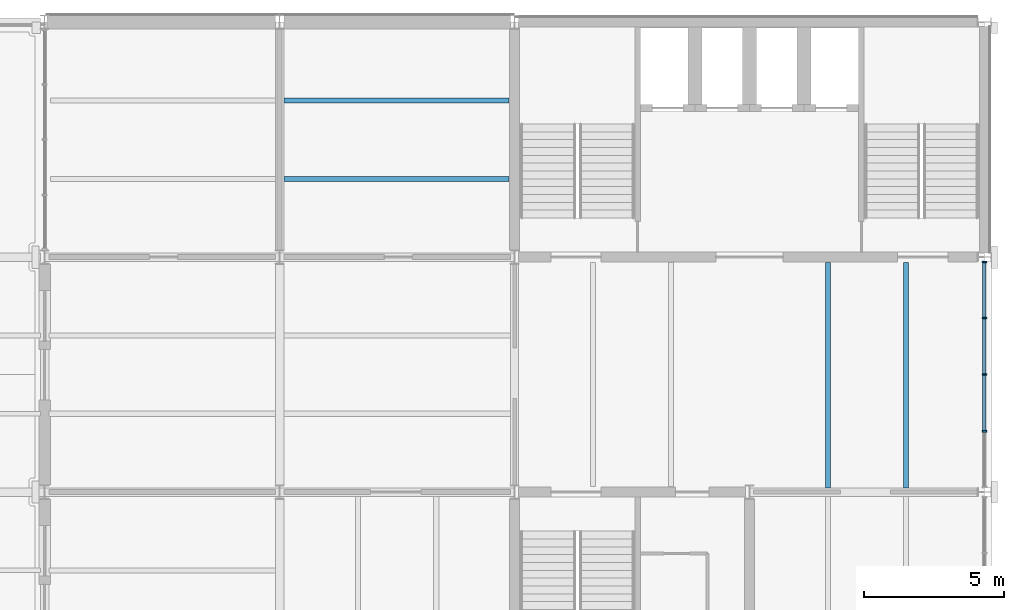
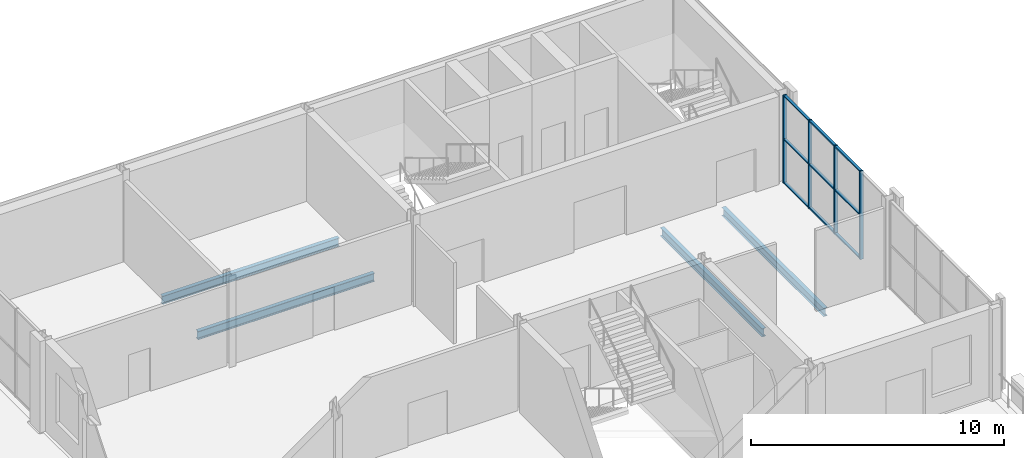
# One storey, part 32 of 58: 13 members, 4 beams, 1 element without a shape of its own.
"""IFC4 building model written with IfcOpenShell, lengths in metres."""

from ifc_helpers import new_model, si_unit, direction, frame, origin, origin_2d, place, context, subcontext, project, spatial, rectangle, i_section, extrude, material, layer, layer_set, material_profile, profile_set, type_object, element, aggregate, save


model = new_model("IFC4")

# Units and contexts
model_context = context("Model", 3, precision=1e-05, world=origin(), true_north=direction((0.0, 1.0)))
body_context = subcontext(model_context, "Body", "Model", "MODEL_VIEW")
ifc_project = project(units=[si_unit("LENGTHUNIT", "METRE"), si_unit("AREAUNIT", "SQUARE_METRE"), si_unit("VOLUMEUNIT", "CUBIC_METRE"), si_unit("PLANEANGLEUNIT", "RADIAN"), si_unit("MASSUNIT", "GRAM", prefix="KILO")], contexts=[model_context])

# Site, building, storey
site_placement = place(None, origin())
site = spatial("IfcSite", under=ifc_project, at=site_placement, CompositionType="ELEMENT")
building_placement = place(site_placement, origin())
building = spatial("IfcBuilding", under=site, at=building_placement, Name="Galleria Vessillo Department Store", CompositionType="ELEMENT")
storey_placement = place(building_placement, frame((0.0, 0.0, 31.199951171875)))
storey = spatial("IfcBuildingStorey", under=building, at=storey_placement, Name="L06", CompositionType="ELEMENT", Elevation=31.199951171875)

# Curtain wall, members
ifc_material_1 = material(Name="Aluminium and glass curtain wall", Category="aluminium")
ifc_layer = layer(ifc_material_1, 0.159912109375)
ifc_layer_set = layer_set([ifc_layer], Name="Aluminium and glass curtain wall")
curtain_wall_type = type_object("IfcCurtainWallType", Name="Tower curtain wall CW4 2100 module", PredefinedType="NOTDEFINED", material=ifc_layer_set)
curtain_wall_placement = place(storey_placement, origin())
curtain_wall = element("IfcCurtainWall", 1, at=curtain_wall_placement, inside=storey, type_object=curtain_wall_type, Name="Tower curtain wall CW4 2100 module TE-L06-02", PredefinedType="NOTDEFINED")
ifc_material_2 = material(Name="Aluminium alloy 6063 T6", Category="aluminium")
ifc_material_profile_1 = material_profile(ifc_material_2, rectangle(XDim=0.159912109375, YDim=0.06005859375, at=origin_2d()), Name="AL 60x160")
ifc_profile_set_1 = profile_set([ifc_material_profile_1], Name="Aluminium alloy 6063 T6")
member_type_1 = type_object("IfcMemberType", Name="Aluminium mullion 60 x 160", PredefinedType="MULLION", material=ifc_profile_set_1)
member_1_placement = place(storey_placement, frame((117.60009765625, 48.375, 0.0), z_axis=(0.0, 0.0, 1.0), x_axis=(-1.0, 0.0, 0.0)))
member_1 = element("IfcMember", 2, at=member_1_placement, type_object=member_type_1, Name="CW4 mullion 2", PredefinedType="MULLION", context=body_context, shape_type="SweptSolid", body=[
    extrude(rectangle(XDim=0.159912109375, YDim=0.06005859375, at=origin_2d()), origin(), (0.0, 0.0, 1.0), 4.250244140625),
])
member_2_placement = place(storey_placement, frame((117.60009765625, 50.39990234375, 0.0), z_axis=(0.0, 0.0, 1.0), x_axis=(-1.0, 0.0, 0.0)))
member_2 = element("IfcMember", 3, at=member_2_placement, type_object=member_type_1, Name="CW4 mullion 3", PredefinedType="MULLION", context=body_context, shape_type="SweptSolid", body=[
    extrude(rectangle(XDim=0.159912109375, YDim=0.06005859375, at=origin_2d()), origin(), (0.0, 0.0, 1.0), 4.250244140625),
])
member_3_placement = place(storey_placement, frame((117.60009765625, 52.425048828125, 0.0), z_axis=(0.0, 0.0, 1.0), x_axis=(-1.0, 0.0, 0.0)))
member_3 = element("IfcMember", 4, at=member_3_placement, type_object=member_type_1, Name="CW4 mullion 4", PredefinedType="MULLION", context=body_context, shape_type="SweptSolid", body=[
    extrude(rectangle(XDim=0.159912109375, YDim=0.06005859375, at=origin_2d()), origin(), (0.0, 0.0, 1.0), 4.250244140625),
])
member_4_placement = place(storey_placement, frame((117.60009765625, 54.420166015625, 0.0), z_axis=(0.0, 0.0, 1.0), x_axis=(-1.0, 0.0, 0.0)))
member_4 = element("IfcMember", 5, at=member_4_placement, type_object=member_type_1, Name="CW4 mullion 5", PredefinedType="MULLION", context=body_context, shape_type="SweptSolid", body=[
    extrude(rectangle(XDim=0.159912109375, YDim=0.06005859375, at=origin_2d()), origin(), (0.0, 0.0, 1.0), 4.250244140625),
])
ifc_material_3 = material(Name="Aluminium alloy 6063 T6", Category="aluminium")
ifc_material_profile_2 = material_profile(ifc_material_3, rectangle(XDim=0.1201171875, YDim=0.06005859375, at=origin_2d()), Name="AL 60x120")
ifc_profile_set_2 = profile_set([ifc_material_profile_2], Name="Aluminium alloy 6063 T6")
member_type_2 = type_object("IfcMemberType", Name="Aluminium transom 60 x 120", PredefinedType="USERDEFINED", material=ifc_profile_set_2)
member_5_placement = place(storey_placement, frame((117.60009765625, 48.405029296875, 0.030029296875), z_axis=(0.0, 1.0, 0.0), x_axis=(-1.0, 0.0, 0.0)))
member_5 = element("IfcMember", 6, at=member_5_placement, type_object=member_type_2, Name="CW4 transom 2.1", ObjectType="TRANSOM", PredefinedType="USERDEFINED", context=body_context, shape_type="SweptSolid", body=[
    extrude(rectangle(XDim=0.1201171875, YDim=0.06005859375, at=origin_2d()), origin(), (0.0, 0.0, 1.0), 1.965087890625),
])
member_6_placement = place(storey_placement, frame((117.60009765625, 48.405029296875, 2.125244140625), z_axis=(0.0, 1.0, 0.0), x_axis=(-1.0, 0.0, 0.0)))
member_6 = element("IfcMember", 7, at=member_6_placement, type_object=member_type_2, Name="CW4 transom 2.2", ObjectType="TRANSOM", PredefinedType="USERDEFINED", context=body_context, shape_type="SweptSolid", body=[
    extrude(rectangle(XDim=0.1201171875, YDim=0.06005859375, at=origin_2d()), origin(), (0.0, 0.0, 1.0), 1.965087890625),
])
member_7_placement = place(storey_placement, frame((117.60009765625, 48.405029296875, 4.22021484375), z_axis=(0.0, 1.0, 0.0), x_axis=(-1.0, 0.0, 0.0)))
member_7 = element("IfcMember", 8, at=member_7_placement, type_object=member_type_2, Name="CW4 transom 2.3", ObjectType="TRANSOM", PredefinedType="USERDEFINED", context=body_context, shape_type="SweptSolid", body=[
    extrude(rectangle(XDim=0.1201171875, YDim=0.06005859375, at=origin_2d()), origin(), (0.0, 0.0, 1.0), 1.965087890625),
])
member_8_placement = place(storey_placement, frame((117.60009765625, 50.429931640625, 0.030029296875), z_axis=(0.0, 1.0, 0.0), x_axis=(-1.0, 0.0, 0.0)))
member_8 = element("IfcMember", 9, at=member_8_placement, type_object=member_type_2, Name="CW4 transom 3.1", ObjectType="TRANSOM", PredefinedType="USERDEFINED", context=body_context, shape_type="SweptSolid", body=[
    extrude(rectangle(XDim=0.1201171875, YDim=0.06005859375, at=origin_2d()), origin(), (0.0, 0.0, 1.0), 1.965087890625),
])
member_9_placement = place(storey_placement, frame((117.60009765625, 50.429931640625, 2.125244140625), z_axis=(0.0, 1.0, 0.0), x_axis=(-1.0, 0.0, 0.0)))
member_9 = element("IfcMember", 10, at=member_9_placement, type_object=member_type_2, Name="CW4 transom 3.2", ObjectType="TRANSOM", PredefinedType="USERDEFINED", context=body_context, shape_type="SweptSolid", body=[
    extrude(rectangle(XDim=0.1201171875, YDim=0.06005859375, at=origin_2d()), origin(), (0.0, 0.0, 1.0), 1.965087890625),
])
member_10_placement = place(storey_placement, frame((117.60009765625, 50.429931640625, 4.22021484375), z_axis=(0.0, 1.0, 0.0), x_axis=(-1.0, 0.0, 0.0)))
member_10 = element("IfcMember", 11, at=member_10_placement, type_object=member_type_2, Name="CW4 transom 3.3", ObjectType="TRANSOM", PredefinedType="USERDEFINED", context=body_context, shape_type="SweptSolid", body=[
    extrude(rectangle(XDim=0.1201171875, YDim=0.06005859375, at=origin_2d()), origin(), (0.0, 0.0, 1.0), 1.965087890625),
])
member_11_placement = place(storey_placement, frame((117.60009765625, 52.455078125, 0.030029296875), z_axis=(0.0, 1.0, 0.0), x_axis=(-1.0, 0.0, 0.0)))
member_11 = element("IfcMember", 12, at=member_11_placement, type_object=member_type_2, Name="CW4 transom 4.1", ObjectType="TRANSOM", PredefinedType="USERDEFINED", context=body_context, shape_type="SweptSolid", body=[
    extrude(rectangle(XDim=0.1201171875, YDim=0.06005859375, at=origin_2d()), origin(), (0.0, 0.0, 1.0), 1.93505859375),
])
member_12_placement = place(storey_placement, frame((117.60009765625, 52.455078125, 2.125244140625), z_axis=(0.0, 1.0, 0.0), x_axis=(-1.0, 0.0, 0.0)))
member_12 = element("IfcMember", 13, at=member_12_placement, type_object=member_type_2, Name="CW4 transom 4.2", ObjectType="TRANSOM", PredefinedType="USERDEFINED", context=body_context, shape_type="SweptSolid", body=[
    extrude(rectangle(XDim=0.1201171875, YDim=0.06005859375, at=origin_2d()), origin(), (0.0, 0.0, 1.0), 1.93505859375),
])
member_13_placement = place(storey_placement, frame((117.60009765625, 52.455078125, 4.22021484375), z_axis=(0.0, 1.0, 0.0), x_axis=(-1.0, 0.0, 0.0)))
member_13 = element("IfcMember", 14, at=member_13_placement, type_object=member_type_2, Name="CW4 transom 4.3", ObjectType="TRANSOM", PredefinedType="USERDEFINED", context=body_context, shape_type="SweptSolid", body=[
    extrude(rectangle(XDim=0.1201171875, YDim=0.06005859375, at=origin_2d()), origin(), (0.0, 0.0, 1.0), 1.93505859375),
])
aggregate(curtain_wall, [member_1, member_2, member_3, member_4, member_5, member_6, member_7, member_8, member_9, member_10, member_11, member_12, member_13])

# Beams
ifc_material_4 = material(Name="Steel S355 J2", Category="steel")
ifc_material_profile_3 = material_profile(ifc_material_4, i_section(OverallWidth=0.179931640625, OverallDepth=0.39990234375, WebThickness=0.008544921875, FlangeThickness=0.013427734375, FilletRadius=0.02099609375, at=origin_2d()), Name="IPE 400")
ifc_profile_set_3 = profile_set([ifc_material_profile_3], Name="Steel S355 J2")
beam_type = type_object("IfcBeamType", Name="Floor joist IPE 400", PredefinedType="JOIST", material=ifc_profile_set_3)
for number, where, z_axis, x_axis, name in (
    (15, (92.550048828125, 57.39990234375, -0.349853515625), (1.0, 0.0, 0.0), (0.0, 1.0, 0.0), "S-BM-L06-JO-x57400-92550"),
    (16, (92.550048828125, 60.199951171875, -0.349853515625), (1.0, 0.0, 0.0), (0.0, 1.0, 0.0), "S-BM-L06-JO-x60200-92550"),
    (17, (112.0, 46.35009765625, -0.349853515625), (0.0, 1.0, 0.0), (-1.0, 0.0, 0.0), "S-BM-L06-JO-y112000-46350"),
    (18, (114.800048828125, 46.35009765625, -0.349853515625), (0.0, 1.0, 0.0), (-1.0, 0.0, 0.0), "S-BM-L06-JO-y114800-46350"),
):
    element("IfcBeam", number, at=place(storey_placement, frame(where, z_axis=z_axis, x_axis=x_axis)), inside=storey, type_object=beam_type, Name=name, PredefinedType="JOIST", context=body_context, shape_type="SweptSolid", body=[
        extrude(i_section(OverallWidth=0.179931640625, OverallDepth=0.39990234375, WebThickness=0.008544921875, FlangeThickness=0.013427734375, FilletRadius=0.02099609375, at=origin_2d()), origin(), (0.0, 0.0, 1.0), 8.0498046875),
    ])

save(model, "model.ifc")
